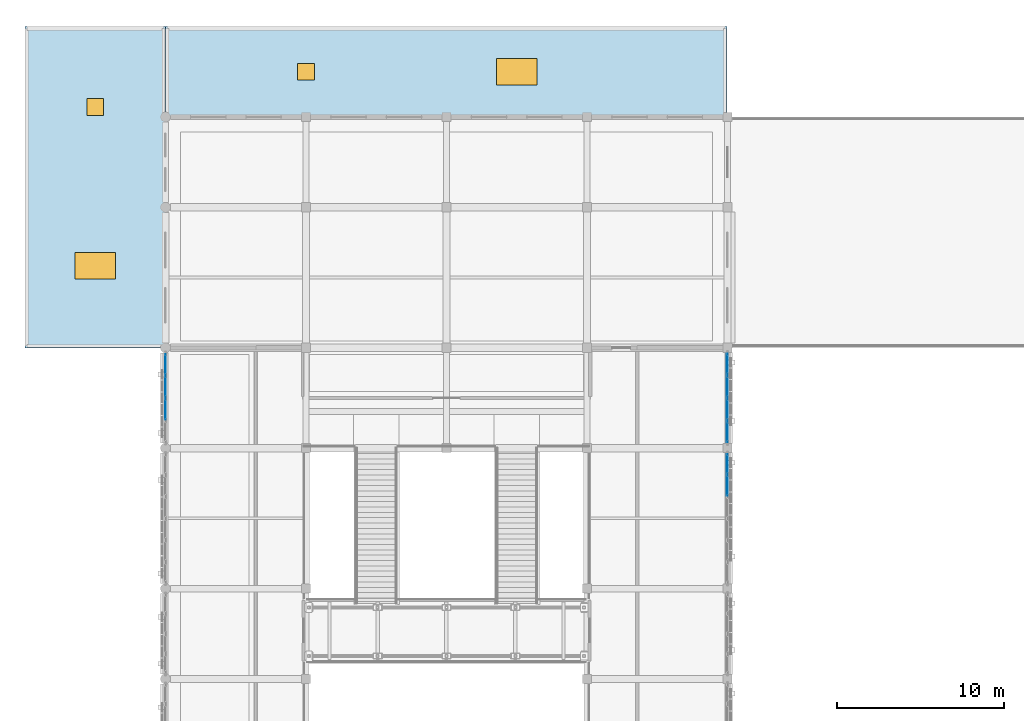
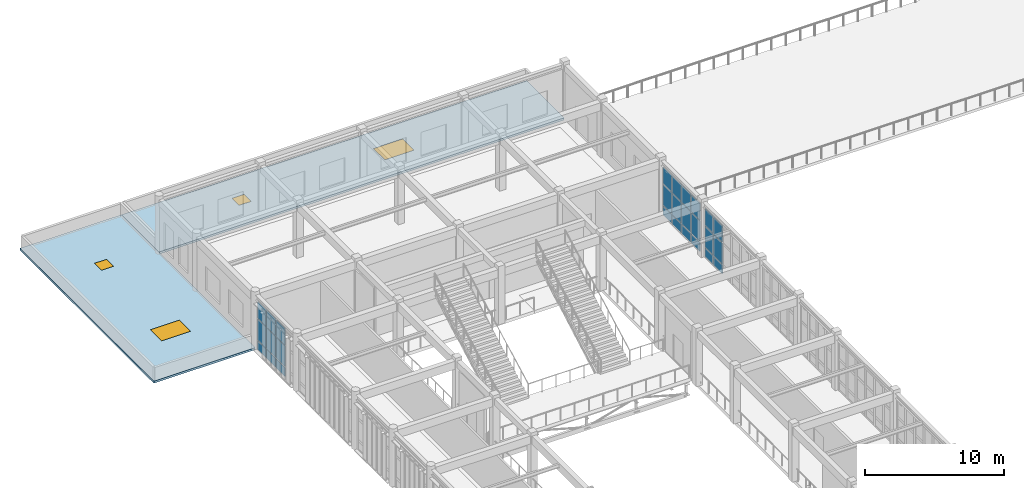
# One storey, part 61 of 93: 27 plates, 2 doors, 2 slabs, 2 windows, 4 openings, 3 elements without a shape of their own.
"""IFC4 building model written with IfcOpenShell, lengths in metres."""

from ifc_helpers import new_model, si_unit, direction, frame, origin, origin_2d, place, context, subcontext, project, spatial, polyline, rectangle, outline, extrude, material, layer, layer_set, type_object, element, fill, aggregate, save


model = new_model("IFC4")

# Units and contexts
model_context = context("Model", 3, precision=1e-05, world=origin(), true_north=direction((0.0, 1.0)))
body_context = subcontext(model_context, "Body", "Model", "MODEL_VIEW")
ifc_project = project(units=[si_unit("LENGTHUNIT", "METRE"), si_unit("AREAUNIT", "SQUARE_METRE"), si_unit("VOLUMEUNIT", "CUBIC_METRE"), si_unit("PLANEANGLEUNIT", "RADIAN"), si_unit("MASSUNIT", "GRAM", prefix="KILO")], contexts=[model_context])

# Site, building, storey
site_placement = place(None, origin())
site = spatial("IfcSite", under=ifc_project, at=site_placement, CompositionType="ELEMENT")
building_placement = place(site_placement, origin())
building = spatial("IfcBuilding", under=site, at=building_placement, Name="Krzemoval Escarpment Law Courts", CompositionType="ELEMENT")
storey_placement = place(building_placement, frame((0.0, 0.0, 10.199951171875)))
storey = spatial("IfcBuildingStorey", under=building, at=storey_placement, Name="L02", CompositionType="ELEMENT", Elevation=10.199951171875)

# Curtain wall, plates
ifc_material_1 = material(Name="Aluminium 6063-T6", Category="aluminium")
ifc_layer_1 = layer(ifc_material_1, 0.280029296875)
ifc_layer_set_1 = layer_set([ifc_layer_1], Name="Aluminium 6063-T6")
curtain_wall_type = type_object("IfcCurtainWallType", Name="CW-HALL-5100", PredefinedType="USERDEFINED", material=ifc_layer_set_1)
curtain_wall_1_placement = place(storey_placement, origin())
curtain_wall_1 = element("IfcCurtainWall", 1, at=curtain_wall_1_placement, inside=storey, type_object=curtain_wall_type, Name="Unitised Curtain Wall FCW-L02-072", ObjectType="UNITISED_CURTAIN_WALL", PredefinedType="USERDEFINED")
ifc_material_2 = material(Name="Triple Glazing IGU", Category="glass")
ifc_layer_2 = layer(ifc_material_2, 0.053955078125)
ifc_layer_set_2 = layer_set([ifc_layer_2], Name="Triple Glazing IGU")
plate_type = type_object("IfcPlateType", Name="CWP-GLZ-54", PredefinedType="CURTAIN_PANEL", material=ifc_layer_set_2)
plate_1_placement = place(storey_placement, frame((8.39990234375, 95.925048828125, 0.0849609375), z_axis=(0.0, 0.0, 1.0), x_axis=(0.0, 1.0, 0.0)))
plate_1 = element("IfcPlate", 2, at=plate_1_placement, type_object=plate_type, Name="FCW-L02-072 panel 2.1", PredefinedType="CURTAIN_PANEL", context=body_context, shape_type="SweptSolid", body=[
    extrude(rectangle(XDim=1.264892578125, YDim=0.053955078125, at=origin_2d()), origin(), (0.0, 0.0, 1.0), 0.7724609375),
])
plate_2_placement = place(storey_placement, frame((8.39990234375, 95.925048828125, 0.942626953125), z_axis=(0.0, 0.0, 1.0), x_axis=(0.0, 1.0, 0.0)))
plate_2 = element("IfcPlate", 3, at=plate_2_placement, type_object=plate_type, Name="FCW-L02-072 panel 2.2", PredefinedType="CURTAIN_PANEL", context=body_context, shape_type="SweptSolid", body=[
    extrude(rectangle(XDim=1.264892578125, YDim=0.053955078125, at=origin_2d()), origin(), (0.0, 0.0, 1.0), 1.81494140625),
])
plate_3_placement = place(storey_placement, frame((8.39990234375, 95.925048828125, 2.842529296875), z_axis=(0.0, 0.0, 1.0), x_axis=(0.0, 1.0, 0.0)))
plate_3 = element("IfcPlate", 4, at=plate_3_placement, type_object=plate_type, Name="FCW-L02-072 panel 2.3", PredefinedType="CURTAIN_PANEL", context=body_context, shape_type="SweptSolid", body=[
    extrude(rectangle(XDim=1.264892578125, YDim=0.053955078125, at=origin_2d()), origin(), (0.0, 0.0, 1.0), 1.4423828125),
])
plate_4_placement = place(storey_placement, frame((8.39990234375, 97.27490234375, 0.0849609375), z_axis=(0.0, 0.0, 1.0), x_axis=(0.0, 1.0, 0.0)))
plate_4 = element("IfcPlate", 5, at=plate_4_placement, type_object=plate_type, Name="FCW-L02-072 panel 3.1", PredefinedType="CURTAIN_PANEL", context=body_context, shape_type="SweptSolid", body=[
    extrude(rectangle(XDim=1.264892578125, YDim=0.053955078125, at=origin_2d()), origin(), (0.0, 0.0, 1.0), 0.7724609375),
])
plate_5_placement = place(storey_placement, frame((8.39990234375, 97.27490234375, 0.942626953125), z_axis=(0.0, 0.0, 1.0), x_axis=(0.0, 1.0, 0.0)))
plate_5 = element("IfcPlate", 6, at=plate_5_placement, type_object=plate_type, Name="FCW-L02-072 panel 3.2", PredefinedType="CURTAIN_PANEL", context=body_context, shape_type="SweptSolid", body=[
    extrude(rectangle(XDim=1.264892578125, YDim=0.053955078125, at=origin_2d()), origin(), (0.0, 0.0, 1.0), 1.81494140625),
])
plate_6_placement = place(storey_placement, frame((8.39990234375, 97.27490234375, 2.842529296875), z_axis=(0.0, 0.0, 1.0), x_axis=(0.0, 1.0, 0.0)))
plate_6 = element("IfcPlate", 7, at=plate_6_placement, type_object=plate_type, Name="FCW-L02-072 panel 3.3", PredefinedType="CURTAIN_PANEL", context=body_context, shape_type="SweptSolid", body=[
    extrude(rectangle(XDim=1.264892578125, YDim=0.053955078125, at=origin_2d()), origin(), (0.0, 0.0, 1.0), 1.4423828125),
])
plate_7_placement = place(storey_placement, frame((8.39990234375, 98.603759765625, 0.0849609375), z_axis=(0.0, 0.0, 1.0), x_axis=(0.0, 1.0, 0.0)))
plate_7 = element("IfcPlate", 8, at=plate_7_placement, type_object=plate_type, Name="FCW-L02-072 panel 4.1", PredefinedType="CURTAIN_PANEL", context=body_context, shape_type="SweptSolid", body=[
    extrude(rectangle(XDim=1.222412109375, YDim=0.053955078125, at=origin_2d()), origin(), (0.0, 0.0, 1.0), 0.7724609375),
])
plate_8_placement = place(storey_placement, frame((8.39990234375, 98.603759765625, 0.942626953125), z_axis=(0.0, 0.0, 1.0), x_axis=(0.0, 1.0, 0.0)))
plate_8 = element("IfcPlate", 9, at=plate_8_placement, type_object=plate_type, Name="FCW-L02-072 panel 4.2", PredefinedType="CURTAIN_PANEL", context=body_context, shape_type="SweptSolid", body=[
    extrude(rectangle(XDim=1.222412109375, YDim=0.053955078125, at=origin_2d()), origin(), (0.0, 0.0, 1.0), 1.81494140625),
])
plate_9_placement = place(storey_placement, frame((8.39990234375, 98.603759765625, 2.842529296875), z_axis=(0.0, 0.0, 1.0), x_axis=(0.0, 1.0, 0.0)))
plate_9 = element("IfcPlate", 10, at=plate_9_placement, type_object=plate_type, Name="FCW-L02-072 panel 4.3", PredefinedType="CURTAIN_PANEL", context=body_context, shape_type="SweptSolid", body=[
    extrude(rectangle(XDim=1.222412109375, YDim=0.053955078125, at=origin_2d()), origin(), (0.0, 0.0, 1.0), 1.4423828125),
])
aggregate(curtain_wall_1, [plate_1, plate_2, plate_3, plate_4, plate_5, plate_6, plate_7, plate_8, plate_9])

curtain_wall_2_placement = place(storey_placement, origin())
curtain_wall_2 = element("IfcCurtainWall", 11, at=curtain_wall_2_placement, inside=storey, type_object=curtain_wall_type, Name="Unitised Curtain Wall FCW-L02-073", ObjectType="UNITISED_CURTAIN_WALL", PredefinedType="USERDEFINED")
plate_10_placement = place(storey_placement, frame((42.0, 98.62255859375, 0.0849609375), z_axis=(0.0, 0.0, 1.0), x_axis=(0.0, -1.0, 0.0)))
plate_10 = element("IfcPlate", 12, at=plate_10_placement, type_object=plate_type, Name="FCW-L02-073 panel 1.1", PredefinedType="CURTAIN_PANEL", context=body_context, shape_type="SweptSolid", body=[
    extrude(rectangle(XDim=1.235107421875, YDim=0.053955078125, at=origin_2d()), origin(), (0.0, 0.0, 1.0), 0.7724609375),
])
plate_11_placement = place(storey_placement, frame((42.0, 98.62255859375, 0.942626953125), z_axis=(0.0, 0.0, 1.0), x_axis=(0.0, -1.0, 0.0)))
plate_11 = element("IfcPlate", 13, at=plate_11_placement, type_object=plate_type, Name="FCW-L02-073 panel 1.2", PredefinedType="CURTAIN_PANEL", context=body_context, shape_type="SweptSolid", body=[
    extrude(rectangle(XDim=1.235107421875, YDim=0.053955078125, at=origin_2d()), origin(), (0.0, 0.0, 1.0), 1.81494140625),
])
plate_12_placement = place(storey_placement, frame((42.0, 98.62255859375, 2.842529296875), z_axis=(0.0, 0.0, 1.0), x_axis=(0.0, -1.0, 0.0)))
plate_12 = element("IfcPlate", 14, at=plate_12_placement, type_object=plate_type, Name="FCW-L02-073 panel 1.3", PredefinedType="CURTAIN_PANEL", context=body_context, shape_type="SweptSolid", body=[
    extrude(rectangle(XDim=1.235107421875, YDim=0.053955078125, at=origin_2d()), origin(), (0.0, 0.0, 1.0), 1.4423828125),
])
plate_13_placement = place(storey_placement, frame((42.0, 97.28125, 0.0849609375), z_axis=(0.0, 0.0, 1.0), x_axis=(0.0, -1.0, 0.0)))
plate_13 = element("IfcPlate", 15, at=plate_13_placement, type_object=plate_type, Name="FCW-L02-073 panel 2.1", PredefinedType="CURTAIN_PANEL", context=body_context, shape_type="SweptSolid", body=[
    extrude(rectangle(XDim=1.277587890625, YDim=0.053955078125, at=origin_2d()), origin(), (0.0, 0.0, 1.0), 0.7724609375),
])
plate_14_placement = place(storey_placement, frame((42.0, 97.28125, 0.942626953125), z_axis=(0.0, 0.0, 1.0), x_axis=(0.0, -1.0, 0.0)))
plate_14 = element("IfcPlate", 16, at=plate_14_placement, type_object=plate_type, Name="FCW-L02-073 panel 2.2", PredefinedType="CURTAIN_PANEL", context=body_context, shape_type="SweptSolid", body=[
    extrude(rectangle(XDim=1.277587890625, YDim=0.053955078125, at=origin_2d()), origin(), (0.0, 0.0, 1.0), 1.81494140625),
])
plate_15_placement = place(storey_placement, frame((42.0, 97.28125, 2.842529296875), z_axis=(0.0, 0.0, 1.0), x_axis=(0.0, -1.0, 0.0)))
plate_15 = element("IfcPlate", 17, at=plate_15_placement, type_object=plate_type, Name="FCW-L02-073 panel 2.3", PredefinedType="CURTAIN_PANEL", context=body_context, shape_type="SweptSolid", body=[
    extrude(rectangle(XDim=1.277587890625, YDim=0.053955078125, at=origin_2d()), origin(), (0.0, 0.0, 1.0), 1.4423828125),
])
plate_16_placement = place(storey_placement, frame((42.0, 95.918701171875, 0.0849609375), z_axis=(0.0, 0.0, 1.0), x_axis=(0.0, -1.0, 0.0)))
plate_16 = element("IfcPlate", 18, at=plate_16_placement, type_object=plate_type, Name="FCW-L02-073 panel 3.1", PredefinedType="CURTAIN_PANEL", context=body_context, shape_type="SweptSolid", body=[
    extrude(rectangle(XDim=1.277587890625, YDim=0.053955078125, at=origin_2d()), origin(), (0.0, 0.0, 1.0), 0.7724609375),
])
plate_17_placement = place(storey_placement, frame((42.0, 95.918701171875, 0.942626953125), z_axis=(0.0, 0.0, 1.0), x_axis=(0.0, -1.0, 0.0)))
plate_17 = element("IfcPlate", 19, at=plate_17_placement, type_object=plate_type, Name="FCW-L02-073 panel 3.2", PredefinedType="CURTAIN_PANEL", context=body_context, shape_type="SweptSolid", body=[
    extrude(rectangle(XDim=1.277587890625, YDim=0.053955078125, at=origin_2d()), origin(), (0.0, 0.0, 1.0), 1.81494140625),
])
plate_18_placement = place(storey_placement, frame((42.0, 95.918701171875, 2.842529296875), z_axis=(0.0, 0.0, 1.0), x_axis=(0.0, -1.0, 0.0)))
plate_18 = element("IfcPlate", 20, at=plate_18_placement, type_object=plate_type, Name="FCW-L02-073 panel 3.3", PredefinedType="CURTAIN_PANEL", context=body_context, shape_type="SweptSolid", body=[
    extrude(rectangle(XDim=1.277587890625, YDim=0.053955078125, at=origin_2d()), origin(), (0.0, 0.0, 1.0), 1.4423828125),
])
plate_19_placement = place(storey_placement, frame((42.0, 94.577392578125, 0.0849609375), z_axis=(0.0, 0.0, 1.0), x_axis=(0.0, -1.0, 0.0)))
plate_19 = element("IfcPlate", 21, at=plate_19_placement, type_object=plate_type, Name="FCW-L02-073 panel 4.1", PredefinedType="CURTAIN_PANEL", context=body_context, shape_type="SweptSolid", body=[
    extrude(rectangle(XDim=1.235107421875, YDim=0.053955078125, at=origin_2d()), origin(), (0.0, 0.0, 1.0), 0.7724609375),
])
plate_20_placement = place(storey_placement, frame((42.0, 94.577392578125, 0.942626953125), z_axis=(0.0, 0.0, 1.0), x_axis=(0.0, -1.0, 0.0)))
plate_20 = element("IfcPlate", 22, at=plate_20_placement, type_object=plate_type, Name="FCW-L02-073 panel 4.2", PredefinedType="CURTAIN_PANEL", context=body_context, shape_type="SweptSolid", body=[
    extrude(rectangle(XDim=1.235107421875, YDim=0.053955078125, at=origin_2d()), origin(), (0.0, 0.0, 1.0), 1.81494140625),
])
plate_21_placement = place(storey_placement, frame((42.0, 94.577392578125, 2.842529296875), z_axis=(0.0, 0.0, 1.0), x_axis=(0.0, -1.0, 0.0)))
plate_21 = element("IfcPlate", 23, at=plate_21_placement, type_object=plate_type, Name="FCW-L02-073 panel 4.3", PredefinedType="CURTAIN_PANEL", context=body_context, shape_type="SweptSolid", body=[
    extrude(rectangle(XDim=1.235107421875, YDim=0.053955078125, at=origin_2d()), origin(), (0.0, 0.0, 1.0), 1.4423828125),
])
aggregate(curtain_wall_2, [plate_10, plate_11, plate_12, plate_13, plate_14, plate_15, plate_16, plate_17, plate_18, plate_19, plate_20, plate_21])

curtain_wall_3_placement = place(storey_placement, origin())
curtain_wall_3 = element("IfcCurtainWall", 24, at=curtain_wall_3_placement, inside=storey, type_object=curtain_wall_type, Name="Unitised Curtain Wall FCW-L02-074", ObjectType="UNITISED_CURTAIN_WALL", PredefinedType="USERDEFINED")
plate_22_placement = place(storey_placement, frame((42.0, 92.649658203125, 0.0849609375), z_axis=(0.0, 0.0, 1.0), x_axis=(0.0, -1.0, 0.0)))
plate_22 = element("IfcPlate", 25, at=plate_22_placement, type_object=plate_type, Name="FCW-L02-074 panel 1.1", PredefinedType="CURTAIN_PANEL", context=body_context, shape_type="SweptSolid", body=[
    extrude(rectangle(XDim=1.180908203125, YDim=0.053955078125, at=origin_2d()), origin(), (0.0, 0.0, 1.0), 0.7724609375),
])
plate_23_placement = place(storey_placement, frame((42.0, 92.649658203125, 0.942626953125), z_axis=(0.0, 0.0, 1.0), x_axis=(0.0, -1.0, 0.0)))
plate_23 = element("IfcPlate", 26, at=plate_23_placement, type_object=plate_type, Name="FCW-L02-074 panel 1.2", PredefinedType="CURTAIN_PANEL", context=body_context, shape_type="SweptSolid", body=[
    extrude(rectangle(XDim=1.180908203125, YDim=0.053955078125, at=origin_2d()), origin(), (0.0, 0.0, 1.0), 1.81494140625),
])
plate_24_placement = place(storey_placement, frame((42.0, 92.649658203125, 2.842529296875), z_axis=(0.0, 0.0, 1.0), x_axis=(0.0, -1.0, 0.0)))
plate_24 = element("IfcPlate", 27, at=plate_24_placement, type_object=plate_type, Name="FCW-L02-074 panel 1.3", PredefinedType="CURTAIN_PANEL", context=body_context, shape_type="SweptSolid", body=[
    extrude(rectangle(XDim=1.180908203125, YDim=0.053955078125, at=origin_2d()), origin(), (0.0, 0.0, 1.0), 1.4423828125),
])
plate_25_placement = place(storey_placement, frame((42.0, 91.362548828125, 0.0849609375), z_axis=(0.0, 0.0, 1.0), x_axis=(0.0, -1.0, 0.0)))
plate_25 = element("IfcPlate", 28, at=plate_25_placement, type_object=plate_type, Name="FCW-L02-074 panel 2.1", PredefinedType="CURTAIN_PANEL", context=body_context, shape_type="SweptSolid", body=[
    extrude(rectangle(XDim=1.223388671875, YDim=0.053955078125, at=origin_2d()), origin(), (0.0, 0.0, 1.0), 0.7724609375),
])
plate_26_placement = place(storey_placement, frame((42.0, 91.362548828125, 0.942626953125), z_axis=(0.0, 0.0, 1.0), x_axis=(0.0, -1.0, 0.0)))
plate_26 = element("IfcPlate", 29, at=plate_26_placement, type_object=plate_type, Name="FCW-L02-074 panel 2.2", PredefinedType="CURTAIN_PANEL", context=body_context, shape_type="SweptSolid", body=[
    extrude(rectangle(XDim=1.223388671875, YDim=0.053955078125, at=origin_2d()), origin(), (0.0, 0.0, 1.0), 1.81494140625),
])
plate_27_placement = place(storey_placement, frame((42.0, 91.362548828125, 2.842529296875), z_axis=(0.0, 0.0, 1.0), x_axis=(0.0, -1.0, 0.0)))
plate_27 = element("IfcPlate", 30, at=plate_27_placement, type_object=plate_type, Name="FCW-L02-074 panel 2.3", PredefinedType="CURTAIN_PANEL", context=body_context, shape_type="SweptSolid", body=[
    extrude(rectangle(XDim=1.223388671875, YDim=0.053955078125, at=origin_2d()), origin(), (0.0, 0.0, 1.0), 1.4423828125),
])
aggregate(curtain_wall_3, [plate_22, plate_23, plate_24, plate_25, plate_26, plate_27])

# Slab, openings, door, window
ifc_material_3 = material(Name="Concrete C40/50", Category="concrete")
ifc_layer_3 = layer(ifc_material_3, 0.179931640625)
ifc_layer_set_3 = layer_set([ifc_layer_3], Name="Concrete C40/50")
slab_type = type_object("IfcSlabType", Name="SL-ROOF-FLAT180", PredefinedType="ROOF", material=ifc_layer_set_3)
slab_1_placement = place(storey_placement, frame((0.0, 0.0, -0.179931640625)))
slab_1 = element("IfcSlab", 31, at=slab_1_placement, inside=storey, type_object=slab_type, Name="Flat Roof Slab ROOF-V4NW-L02", PredefinedType="ROOF", context=body_context, shape_type="SweptSolid", body=[
    extrude(outline(polyline([(0.0, 99.60009765625), (0.0, 118.800048828125), (8.39990234375, 118.800048828125), (8.39990234375, 99.60009765625), (0.0, 99.60009765625)])), origin(), (0.0, 0.0, 1.0), 0.179931640625),
])
opening_1_placement = place(slab_1_placement, frame((4.199951171875, 104.5, 0.0)))
opening_1 = element("IfcOpeningElement", 32, at=opening_1_placement, cuts=slab_1, Name="Opening SK-01", PredefinedType="OPENING", context=body_context, shape_type="SweptSolid", body=[
    extrude(rectangle(XDim=2.39990234375, YDim=1.60009765625, at=origin_2d()), frame((0.0, 0.0, -0.015)), (0.0, 0.0, 1.0), 0.20993),
])
opening_2_placement = place(slab_1_placement, frame((4.199951171875, 114.0, 0.0)))
opening_2 = element("IfcOpeningElement", 33, at=opening_2_placement, cuts=slab_1, Name="Opening HT-01", PredefinedType="OPENING", context=body_context, shape_type="SweptSolid", body=[
    extrude(rectangle(XDim=1.0, YDim=1.0, at=origin_2d()), frame((0.0, 0.0, -0.015)), (0.0, 0.0, 1.0), 0.20993),
])
ifc_material_4 = material(Name="Thermally Broken Aluminium and Laminated Safety Glass", Category="aluminium")
door_type = type_object("IfcDoorType", Name="DR-HT-1000x1000", OperationType="SINGLE_SWING_LEFT", PredefinedType="TRAPDOOR", material=ifc_material_4)
door_1_placement = place(opening_2_placement, frame((0.0, 0.0, 0.1298828125)))
door_1 = element("IfcDoor", 34, at=door_1_placement, inside=storey, type_object=door_type, Name="Roof Access Hatch HT-01", OperationType="SINGLE_SWING_LEFT", OverallHeight=1.0, OverallWidth=1.0, PredefinedType="TRAPDOOR", context=body_context, shape_type="SweptSolid", body=[
    extrude(rectangle(XDim=1.0, YDim=1.0, at=origin_2d()), origin(), (0.0, 0.0, 1.0), 0.050048828125),
])
fill(opening_2, door_1)
ifc_material_5 = material(Name="Thermally Broken Aluminium Frame with Triple Low-E Acoustic Glass", Category="aluminium")
window_type = type_object("IfcWindowType", Name="WN-SKY-2400x1600", PartitioningType="SINGLE_PANEL", PredefinedType="SKYLIGHT", material=ifc_material_5)
window_1_placement = place(opening_1_placement, frame((0.0, 0.0, 0.1298828125)))
window_1 = element("IfcWindow", 35, at=window_1_placement, inside=storey, type_object=window_type, Name="Roof Skylight SK-01", OverallHeight=1.60009765625, OverallWidth=2.39990234375, PartitioningType="SINGLE_PANEL", PredefinedType="SKYLIGHT", context=body_context, shape_type="SweptSolid", body=[
    extrude(rectangle(XDim=2.39990234375, YDim=1.60009765625, at=origin_2d()), origin(), (0.0, 0.0, 1.0), 0.050048828125),
])
fill(opening_1, window_1)

slab_2_placement = place(storey_placement, frame((0.0, 0.0, -0.179931640625)))
slab_2 = element("IfcSlab", 36, at=slab_2_placement, inside=storey, type_object=slab_type, Name="Flat Roof Slab ROOF-V4N2-L02", PredefinedType="ROOF", context=body_context, shape_type="SweptSolid", body=[
    extrude(outline(polyline([(41.9599609375, 113.39990234375), (8.39990234375, 113.39990234375), (8.39990234375, 118.800048828125), (41.9599609375, 118.800048828125), (41.9599609375, 113.39990234375)])), origin(), (0.0, 0.0, 1.0), 0.179931640625),
])
opening_3_placement = place(slab_2_placement, frame((29.39990234375, 116.10009765625, 0.0)))
opening_3 = element("IfcOpeningElement", 37, at=opening_3_placement, cuts=slab_2, Name="Opening SK-02", PredefinedType="OPENING", context=body_context, shape_type="SweptSolid", body=[
    extrude(rectangle(XDim=2.39990234375, YDim=1.60009765625, at=origin_2d()), frame((0.0, 0.0, -0.015)), (0.0, 0.0, 1.0), 0.20993),
])
opening_4_placement = place(slab_2_placement, frame((16.800048828125, 116.10009765625, 0.0)))
opening_4 = element("IfcOpeningElement", 38, at=opening_4_placement, cuts=slab_2, Name="Opening HT-02", PredefinedType="OPENING", context=body_context, shape_type="SweptSolid", body=[
    extrude(rectangle(XDim=1.0, YDim=1.0, at=origin_2d()), frame((0.0, 0.0, -0.015)), (0.0, 0.0, 1.0), 0.20993),
])
door_2_placement = place(opening_4_placement, frame((0.0, 0.0, 0.1298828125)))
door_2 = element("IfcDoor", 39, at=door_2_placement, inside=storey, type_object=door_type, Name="Roof Access Hatch HT-02", OperationType="SINGLE_SWING_LEFT", OverallHeight=1.0, OverallWidth=1.0, PredefinedType="TRAPDOOR", context=body_context, shape_type="SweptSolid", body=[
    extrude(rectangle(XDim=1.0, YDim=1.0, at=origin_2d()), origin(), (0.0, 0.0, 1.0), 0.050048828125),
])
fill(opening_4, door_2)
window_2_placement = place(opening_3_placement, frame((0.0, 0.0, 0.1298828125)))
window_2 = element("IfcWindow", 40, at=window_2_placement, inside=storey, type_object=window_type, Name="Roof Skylight SK-02", OverallHeight=1.60009765625, OverallWidth=2.39990234375, PartitioningType="SINGLE_PANEL", PredefinedType="SKYLIGHT", context=body_context, shape_type="SweptSolid", body=[
    extrude(rectangle(XDim=2.39990234375, YDim=1.60009765625, at=origin_2d()), origin(), (0.0, 0.0, 1.0), 0.050048828125),
])
fill(opening_3, window_2)

save(model, "model.ifc")
